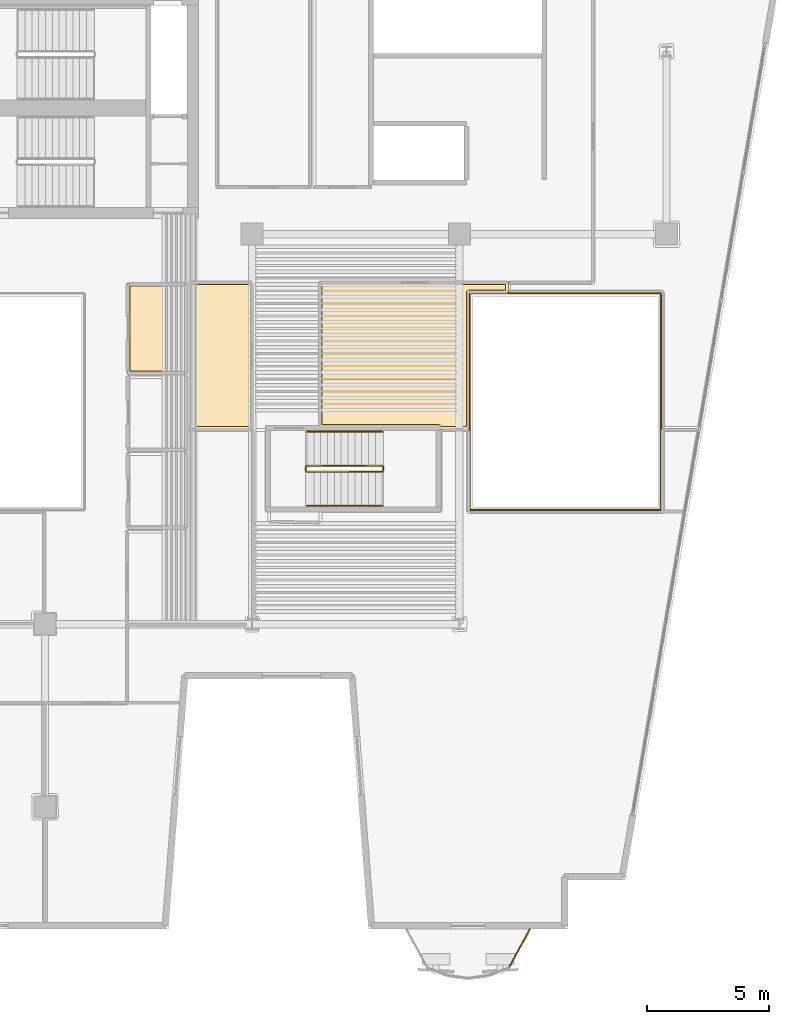
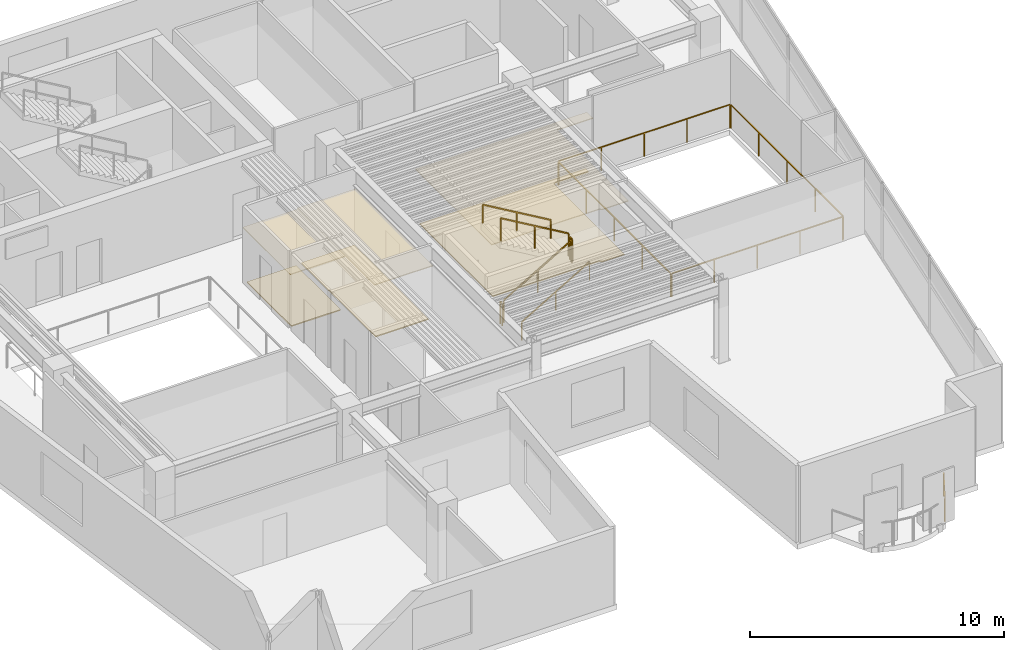
# One storey, part 8 of 10: 11 railings, 6 coverings.
"""IFC4 building model written with IfcOpenShell, lengths in metres."""

from ifc_helpers import new_model, si_unit, direction, frame, origin, origin_2d, place, context, subcontext, project, spatial, polyline, rectangle, outline, extrude, material, layer, layer_set, type_object, element, save


model = new_model("IFC4")

# Units and contexts
model_context = context("Model", 3, precision=1e-05, world=origin(), true_north=direction((0.0, 1.0)))
body_context = subcontext(model_context, "Body", "Model", "MODEL_VIEW")
ifc_project = project(units=[si_unit("LENGTHUNIT", "METRE"), si_unit("AREAUNIT", "SQUARE_METRE"), si_unit("VOLUMEUNIT", "CUBIC_METRE"), si_unit("PLANEANGLEUNIT", "RADIAN"), si_unit("MASSUNIT", "GRAM", prefix="KILO")], contexts=[model_context])

# Site, building, storey
site_placement = place(None, origin())
site = spatial("IfcSite", under=ifc_project, at=site_placement, CompositionType="ELEMENT")
building_placement = place(site_placement, origin())
building = spatial("IfcBuilding", under=site, at=building_placement, Name="Caeloran Harvest Quay", CompositionType="ELEMENT")
storey_placement = place(building_placement, frame((0.0, 0.0, 183.75)))
storey = spatial("IfcBuildingStorey", under=building, at=storey_placement, Name="L43", CompositionType="ELEMENT", Elevation=183.75)

# Coverings
ifc_material_1 = material(Name="Perforated Mineral-Fibre Acoustic Ceiling Tile", Category="ceiling")
ifc_layer_1 = layer(ifc_material_1, 0.0400390625, Name="Perforated Mineral-Fibre Acoustic Ceiling Tile")
ifc_layer_set_1 = layer_set([ifc_layer_1], Name="Perforated Mineral-Fibre Acoustic Ceiling Tile")
covering_type_1 = type_object("IfcCoveringType", Name="COV-CEILING-ACOUSTIC", PredefinedType="CEILING", material=ifc_layer_set_1)
covering_1_placement = place(storey_placement, frame((0.0, 0.0, 2.60009765625)))
element("IfcCovering", 1, at=covering_1_placement, inside=storey, type_object=covering_type_1, Name="L43 Male Washroom WC Acoustic Ceiling", PredefinedType="CEILING", context=body_context, shape_type="SweptSolid", body=[
    extrude(outline(polyline([(22.840087890625, 28.989990234375), (22.840087890625, 25.260009765625), (20.360107421875, 25.260009765625), (20.360107421875, 28.989990234375), (22.840087890625, 28.989990234375)])), origin(), (0.0, 0.0, 1.0), 0.039794921875),
])
covering_2_placement = place(storey_placement, frame((0.0, 0.0, 2.60009765625)))
element("IfcCovering", 2, at=covering_2_placement, inside=storey, type_object=covering_type_1, Name="Harbour View Boardroom Acoustic Ceiling", PredefinedType="CEILING", context=body_context, shape_type="SweptSolid", body=[
    extrude(outline(polyline([(22.8701171875, 22.97998046875), (22.8701171875, 29.06005859375), (25.52001953125, 29.06005859375), (25.52001953125, 22.97998046875), (22.8701171875, 22.97998046875)])), origin(), (0.0, 0.0, 1.0), 0.039794921875),
])
covering_3_placement = place(storey_placement, frame((0.0, 0.0, 2.60009765625)))
element("IfcCovering", 3, at=covering_3_placement, inside=storey, type_object=covering_type_1, Name="Client Hospitality Lounge Acoustic Ceiling", PredefinedType="CEILING", context=body_context, shape_type="SweptSolid", body=[
    extrude(outline(polyline([(33.159912109375, 23.06005859375), (28.239990234375, 23.06005859375), (28.239990234375, 29.06005859375), (36.02001953125, 29.06005859375), (36.02001953125, 28.590087890625), (34.409912109375, 28.590087890625), (34.409912109375, 22.97998046875), (33.199462890625, 22.97998046875), (33.159912109375, 23.033203125), (33.159912109375, 23.06005859375)])), origin(), (0.0, 0.0, 1.0), 0.039794921875),
])
ifc_material_2 = material(Name="Calcium-Sulphate Raised Access Floor and Terrazzo Finish", Category="flooring")
ifc_layer_2 = layer(ifc_material_2, 0.050048828125, Name="Calcium-Sulphate Raised Access Floor and Terrazzo Finish")
ifc_layer_set_2 = layer_set([ifc_layer_2], Name="Calcium-Sulphate Raised Access Floor and Terrazzo Finish")
covering_type_2 = type_object("IfcCoveringType", Name="COV-FLOOR-RAISED", PredefinedType="FLOORING", material=ifc_layer_set_2)
covering_4_placement = place(storey_placement, origin())
element("IfcCovering", 4, at=covering_4_placement, inside=storey, type_object=covering_type_2, Name="L43 Male Washroom WC Raised Finish Flooring", PredefinedType="FLOORING", context=body_context, shape_type="SweptSolid", body=[
    extrude(outline(polyline([(22.719970703125, 28.8701171875), (22.719970703125, 25.3798828125), (20.47998046875, 25.3798828125), (20.47998046875, 28.8701171875), (22.719970703125, 28.8701171875)])), origin(), (0.0, 0.0, 1.0), 0.050048828125),
])
covering_5_placement = place(storey_placement, origin())
element("IfcCovering", 5, at=covering_5_placement, inside=storey, type_object=covering_type_2, Name="Harbour View Boardroom Raised Finish Flooring", PredefinedType="FLOORING", context=body_context, shape_type="SweptSolid", body=[
    extrude(outline(polyline([(22.989990234375, 23.10009765625), (22.989990234375, 28.93994140625), (25.39990234375, 28.93994140625), (25.39990234375, 23.10009765625), (22.989990234375, 23.10009765625)])), origin(), (0.0, 0.0, 1.0), 0.050048828125),
])
covering_6_placement = place(storey_placement, origin())
element("IfcCovering", 6, at=covering_6_placement, inside=storey, type_object=covering_type_2, Name="Client Hospitality Lounge Raised Finish Flooring", PredefinedType="FLOORING", context=body_context, shape_type="SweptSolid", body=[
    extrude(outline(polyline([(33.275634765625, 23.10009765625), (33.23681640625, 23.157470703125), (33.169921875, 23.179931640625), (28.360107421875, 23.179931640625), (28.360107421875, 28.93994140625), (35.89990234375, 28.93994140625), (35.89990234375, 28.7099609375), (34.39599609375, 28.7099609375), (34.300048828125, 28.645751953125), (34.2900390625, 23.10009765625), (33.275634765625, 23.10009765625)])), origin(), (0.0, 0.0, 1.0), 0.050048828125),
])

# Railings
ifc_material_3 = material(Name="Powder-Coated Steel Post and Laminated Glass Guardrail", Category="steel")
ifc_layer_3 = layer(ifc_material_3, 0.06005859375, Name="Powder-Coated Steel Post and Laminated Glass Guardrail")
ifc_layer_set_3 = layer_set([ifc_layer_3], Name="Powder-Coated Steel Post and Laminated Glass Guardrail")
railing_type_1 = type_object("IfcRailingType", Name="GUARD-ATRIUM-1150", PredefinedType="GUARDRAIL", material=ifc_layer_set_3)
railing_1_placement = place(storey_placement, frame((34.4619140625, 19.679931640625, 0.0)))
element("IfcRailing", 7, at=railing_1_placement, inside=storey, type_object=railing_type_1, Name="L43 East Botanical Lightwell Guardrail Seg 1", PredefinedType="GUARDRAIL", context=body_context, shape_type="SweptSolid", body=[
    extrude(rectangle(XDim=0.048095703125, YDim=0.048095703125, at=origin_2d()), frame((0.0, 0.0, 1.1259765625), z_axis=(1.0, 0.0, 0.0), x_axis=(0.0, 1.0, 0.0)), (0.0, 0.0, 1.0), 7.776123046875),
    extrude(rectangle(XDim=0.0419921875, YDim=0.0419921875, at=origin_2d()), origin(), (0.0, 0.0, 1.0), 1.101806640625),
    extrude(rectangle(XDim=0.0419921875, YDim=0.0419921875, at=origin_2d()), frame((1.944091796875, 0.0, 0.0)), (0.0, 0.0, 1.0), 1.101806640625),
    extrude(rectangle(XDim=0.0419921875, YDim=0.0419921875, at=origin_2d()), frame((3.88818359375, 0.0, 0.0)), (0.0, 0.0, 1.0), 1.101806640625),
    extrude(rectangle(XDim=0.0419921875, YDim=0.0419921875, at=origin_2d()), frame((5.83203125, 0.0, 0.0)), (0.0, 0.0, 1.0), 1.101806640625),
    extrude(rectangle(XDim=0.0419921875, YDim=0.0419921875, at=origin_2d()), frame((7.776123046875, 0.0, 0.0)), (0.0, 0.0, 1.0), 1.101806640625),
])
railing_2_placement = place(storey_placement, frame((42.27001953125, 19.7119140625, 0.0)))
element("IfcRailing", 8, at=railing_2_placement, inside=storey, type_object=railing_type_1, Name="L43 East Botanical Lightwell Guardrail Seg 2", PredefinedType="GUARDRAIL", context=body_context, shape_type="SweptSolid", body=[
    extrude(rectangle(XDim=0.048095703125, YDim=0.048095703125, at=origin_2d()), frame((0.0, 0.0, 1.1259765625), z_axis=(0.0, 1.0, 0.0), x_axis=(-1.0, 0.0, 0.0)), (0.0, 0.0, 1.0), 8.826171875),
    extrude(rectangle(XDim=0.0419921875, YDim=0.0419921875, at=origin_2d()), origin(), (0.0, 0.0, 1.0), 1.101806640625),
    extrude(rectangle(XDim=0.0419921875, YDim=0.0419921875, at=origin_2d()), frame((0.0, 2.20654296875, 0.0)), (0.0, 0.0, 1.0), 1.101806640625),
    extrude(rectangle(XDim=0.0419921875, YDim=0.0419921875, at=origin_2d()), frame((0.0, 4.4130859375, 0.0)), (0.0, 0.0, 1.0), 1.101806640625),
    extrude(rectangle(XDim=0.0419921875, YDim=0.0419921875, at=origin_2d()), frame((0.0, 6.61962890625, 0.0)), (0.0, 0.0, 1.0), 1.101806640625),
    extrude(rectangle(XDim=0.0419921875, YDim=0.0419921875, at=origin_2d()), frame((0.0, 8.826171875, 0.0)), (0.0, 0.0, 1.0), 1.101806640625),
])
railing_3_placement = place(storey_placement, frame((42.238037109375, 28.570068359375, 0.0)))
element("IfcRailing", 9, at=railing_3_placement, inside=storey, type_object=railing_type_1, Name="L43 East Botanical Lightwell Guardrail Seg 3", PredefinedType="GUARDRAIL", context=body_context, shape_type="SweptSolid", body=[
    extrude(rectangle(XDim=0.048095703125, YDim=0.048095703125, at=origin_2d()), frame((0.0, 0.0, 1.1259765625), z_axis=(-1.0, 0.0, 0.0), x_axis=(0.0, -1.0, 0.0)), (0.0, 0.0, 1.0), 7.776123046875),
    extrude(rectangle(XDim=0.0419921875, YDim=0.0419921875, at=origin_2d()), origin(), (0.0, 0.0, 1.0), 1.101806640625),
    extrude(rectangle(XDim=0.0419921875, YDim=0.0419921875, at=origin_2d()), frame((-1.944091796875, 0.0, 0.0)), (0.0, 0.0, 1.0), 1.101806640625),
    extrude(rectangle(XDim=0.0419921875, YDim=0.0419921875, at=origin_2d()), frame((-3.88818359375, 0.0, 0.0)), (0.0, 0.0, 1.0), 1.101806640625),
    extrude(rectangle(XDim=0.0419921875, YDim=0.0419921875, at=origin_2d()), frame((-5.83203125, 0.0, 0.0)), (0.0, 0.0, 1.0), 1.101806640625),
    extrude(rectangle(XDim=0.0419921875, YDim=0.0419921875, at=origin_2d()), frame((-7.776123046875, 0.0, 0.0)), (0.0, 0.0, 1.0), 1.101806640625),
])
railing_4_placement = place(storey_placement, frame((34.429931640625, 28.5380859375, 0.0)))
element("IfcRailing", 10, at=railing_4_placement, inside=storey, type_object=railing_type_1, Name="L43 East Botanical Lightwell Guardrail Seg 4", PredefinedType="GUARDRAIL", context=body_context, shape_type="SweptSolid", body=[
    extrude(rectangle(XDim=0.048095703125, YDim=0.048095703125, at=origin_2d()), frame((0.0, 0.0, 1.1259765625), z_axis=(0.0, -1.0, 0.0), x_axis=(1.0, 0.0, 0.0)), (0.0, 0.0, 1.0), 8.826171875),
    extrude(rectangle(XDim=0.0419921875, YDim=0.0419921875, at=origin_2d()), origin(), (0.0, 0.0, 1.0), 1.101806640625),
    extrude(rectangle(XDim=0.0419921875, YDim=0.0419921875, at=origin_2d()), frame((0.0, -2.20654296875, 0.0)), (0.0, 0.0, 1.0), 1.101806640625),
    extrude(rectangle(XDim=0.0419921875, YDim=0.0419921875, at=origin_2d()), frame((0.0, -4.4130859375, 0.0)), (0.0, 0.0, 1.0), 1.101806640625),
    extrude(rectangle(XDim=0.0419921875, YDim=0.0419921875, at=origin_2d()), frame((0.0, -6.61962890625, 0.0)), (0.0, 0.0, 1.0), 1.101806640625),
    extrude(rectangle(XDim=0.0419921875, YDim=0.0419921875, at=origin_2d()), frame((0.0, -8.826171875, 0.0)), (0.0, 0.0, 1.0), 1.101806640625),
])
ifc_material_4 = material(Name="Laminated Safety Glass and Stainless Steel 316", Category="steel")
ifc_layer_4 = layer(ifc_material_4, 0.06005859375, Name="Laminated Safety Glass and Stainless Steel 316")
ifc_layer_set_4 = layer_set([ifc_layer_4], Name="Laminated Safety Glass and Stainless Steel 316")
railing_type_2 = type_object("IfcRailingType", Name="GUARD-BALUSTRADE-1150", PredefinedType="BALUSTRADE", material=ifc_layer_set_4)
railing_5_placement = place(storey_placement, frame((36.89501953125, 2.47998046875, 0.0)))
element("IfcRailing", 11, at=railing_5_placement, inside=storey, type_object=railing_type_2, Name="L43 Planted Balcony Perimeter Balustrade Guard Seg 1", PredefinedType="BALUSTRADE", context=body_context, shape_type="SweptSolid", body=[
    extrude(rectangle(XDim=0.048095703125, YDim=0.048095703125, at=origin_2d()), frame((0.0, 0.0, 1.1259765625), z_axis=(-0.476603455004, -0.87911839173, 0.0), x_axis=(0.87911839173, -0.476603455004, 0.0)), (0.0, 0.0, 1.0), 1.7431640625),
    extrude(rectangle(XDim=0.0419921875, YDim=0.0419921875, at=origin_2d()), origin(), (0.0, 0.0, 1.0), 1.101806640625),
    extrude(rectangle(XDim=0.0419921875, YDim=0.0419921875, at=origin_2d()), frame((-0.830810546875, -1.532470703125, 0.0)), (0.0, 0.0, 1.0), 1.101806640625),
])
ifc_material_5 = material(Name="Painted Steel Baluster and Top-Rail Stair Guard", Category="steel")
ifc_layer_5 = layer(ifc_material_5, 0.050048828125, Name="Painted Steel Baluster and Top-Rail Stair Guard")
ifc_layer_set_5 = layer_set([ifc_layer_5], Name="Painted Steel Baluster and Top-Rail Stair Guard")
railing_type_3 = type_object("IfcRailingType", Name="STAIR-GUARD-1100", PredefinedType="GUARDRAIL", material=ifc_layer_set_5)
railing_6_placement = place(storey_placement, frame((27.75, 21.25, 0.16455078125)))
element("IfcRailing", 12, at=railing_6_placement, inside=storey, type_object=railing_type_3, Name="L43 ST-W1 stair guard 1", PredefinedType="GUARDRAIL", context=body_context, shape_type="SweptSolid", body=[
    extrude(rectangle(XDim=0.048095703125, YDim=0.048095703125, at=origin_2d()), frame((0.0, 0.0, 1.076171875), z_axis=(0.862088758681, 0.0, 0.506757310905), x_axis=(0.0, 1.0, 0.0)), (0.0, 0.0, 1.0), 3.57275390625),
    extrude(rectangle(XDim=0.0419921875, YDim=0.0419921875, at=origin_2d()), origin(), (0.0, 0.0, 1.0), 1.052001953125),
    extrude(rectangle(XDim=0.0419921875, YDim=0.0419921875, at=origin_2d()), frame((1.5400390625, 0.0, 0.9052734375)), (0.0, 0.0, 1.0), 1.052001953125),
    extrude(rectangle(XDim=0.0419921875, YDim=0.0419921875, at=origin_2d()), frame((3.080078125, 0.0, 1.810546875)), (0.0, 0.0, 1.0), 1.052001953125),
])
railing_7_placement = place(storey_placement, frame((30.8798828125, 21.300048828125, 1.97509765625)))
element("IfcRailing", 13, at=railing_7_placement, inside=storey, type_object=railing_type_3, Name="L43 ST-W1 stair guard 2", PredefinedType="GUARDRAIL", context=body_context, shape_type="SweptSolid", body=[
    extrude(rectangle(XDim=0.048095703125, YDim=0.048095703125, at=origin_2d()), frame((0.0, 0.0, 1.076171875), z_axis=(0.0, 1.0, 0.0), x_axis=(-1.0, 0.0, 0.0)), (0.0, 0.0, 1.0), 0.14990234375),
    extrude(rectangle(XDim=0.0419921875, YDim=0.0419921875, at=origin_2d()), origin(), (0.0, 0.0, 1.0), 1.052001953125),
    extrude(rectangle(XDim=0.0419921875, YDim=0.0419921875, at=origin_2d()), frame((0.0, 0.14990234375, 0.0)), (0.0, 0.0, 1.0), 1.052001953125),
])
railing_8_placement = place(storey_placement, frame((30.830078125, 21.5, 2.1396484375)))
element("IfcRailing", 14, at=railing_8_placement, inside=storey, type_object=railing_type_3, Name="L43 ST-W1 stair guard 3", PredefinedType="GUARDRAIL", context=body_context, shape_type="SweptSolid", body=[
    extrude(rectangle(XDim=0.048095703125, YDim=0.048095703125, at=origin_2d()), frame((0.0, 0.0, 1.076171875), z_axis=(-0.862118610829, 0.0, 0.506706523406), x_axis=(0.0, -1.0, 0.0)), (0.0, 0.0, 1.0), 3.57275390625),
    extrude(rectangle(XDim=0.0419921875, YDim=0.0419921875, at=origin_2d()), origin(), (0.0, 0.0, 1.0), 1.052001953125),
    extrude(rectangle(XDim=0.0419921875, YDim=0.0419921875, at=origin_2d()), frame((-1.5400390625, 0.0, 0.9052734375)), (0.0, 0.0, 1.0), 1.052001953125),
    extrude(rectangle(XDim=0.0419921875, YDim=0.0419921875, at=origin_2d()), frame((-3.080078125, 0.0, 1.810302734375)), (0.0, 0.0, 1.0), 1.052001953125),
])
railing_9_placement = place(storey_placement, frame((27.699951171875, 21.300048828125, 0.0)))
element("IfcRailing", 15, at=railing_9_placement, inside=storey, type_object=railing_type_3, Name="L43 ST-W1 stair guard 4", PredefinedType="GUARDRAIL", context=body_context, shape_type="SweptSolid", body=[
    extrude(rectangle(XDim=0.048095703125, YDim=0.048095703125, at=origin_2d()), frame((0.0, 0.0, 1.076171875), z_axis=(0.0, 1.0, 0.0), x_axis=(-1.0, 0.0, 0.0)), (0.0, 0.0, 1.0), 0.14990234375),
    extrude(rectangle(XDim=0.0419921875, YDim=0.0419921875, at=origin_2d()), origin(), (0.0, 0.0, 1.0), 1.052001953125),
    extrude(rectangle(XDim=0.0419921875, YDim=0.0419921875, at=origin_2d()), frame((0.0, 0.14990234375, 0.0)), (0.0, 0.0, 1.0), 1.052001953125),
])
ifc_material_6 = material(Name="Brushed Stainless Steel Grade 304", Category="steel")
ifc_layer_6 = layer(ifc_material_6, 0.050048828125, Name="Brushed Stainless Steel Grade 304")
ifc_layer_set_6 = layer_set([ifc_layer_6], Name="Brushed Stainless Steel Grade 304")
railing_type_4 = type_object("IfcRailingType", Name="STAIR-HANDRAIL-900", PredefinedType="HANDRAIL", material=ifc_layer_set_6)
railing_10_placement = place(storey_placement, frame((27.75, 19.85009765625, 0.16455078125)))
element("IfcRailing", 16, at=railing_10_placement, inside=storey, type_object=railing_type_4, Name="L43 ST-W1 stair handrail 1", PredefinedType="HANDRAIL", context=body_context, shape_type="SweptSolid", body=[
    extrude(rectangle(XDim=0.048095703125, YDim=0.048095703125, at=origin_2d()), frame((0.0, 0.0, 0.8759765625), z_axis=(0.862088758681, 0.0, 0.506757310905), x_axis=(0.0, 1.0, 0.0)), (0.0, 0.0, 1.0), 3.57275390625),
    extrude(rectangle(XDim=0.0419921875, YDim=0.0419921875, at=origin_2d()), origin(), (0.0, 0.0, 1.0), 0.851806640625),
    extrude(rectangle(XDim=0.0419921875, YDim=0.0419921875, at=origin_2d()), frame((1.5400390625, 0.0, 0.9052734375)), (0.0, 0.0, 1.0), 0.851806640625),
    extrude(rectangle(XDim=0.0419921875, YDim=0.0419921875, at=origin_2d()), frame((3.080078125, 0.0, 1.810546875)), (0.0, 0.0, 1.0), 0.851806640625),
])
railing_11_placement = place(storey_placement, frame((30.830078125, 22.89990234375, 2.1396484375)))
element("IfcRailing", 17, at=railing_11_placement, inside=storey, type_object=railing_type_4, Name="L43 ST-W1 stair handrail 2", PredefinedType="HANDRAIL", context=body_context, shape_type="SweptSolid", body=[
    extrude(rectangle(XDim=0.048095703125, YDim=0.048095703125, at=origin_2d()), frame((0.0, 0.0, 0.8759765625), z_axis=(-0.862118610829, 0.0, 0.506706523406), x_axis=(0.0, -1.0, 0.0)), (0.0, 0.0, 1.0), 3.57275390625),
    extrude(rectangle(XDim=0.0419921875, YDim=0.0419921875, at=origin_2d()), origin(), (0.0, 0.0, 1.0), 0.851806640625),
    extrude(rectangle(XDim=0.0419921875, YDim=0.0419921875, at=origin_2d()), frame((-1.5400390625, 0.0, 0.9052734375)), (0.0, 0.0, 1.0), 0.851806640625),
    extrude(rectangle(XDim=0.0419921875, YDim=0.0419921875, at=origin_2d()), frame((-3.080078125, 0.0, 1.810302734375)), (0.0, 0.0, 1.0), 0.851806640625),
])

save(model, "model.ifc")
